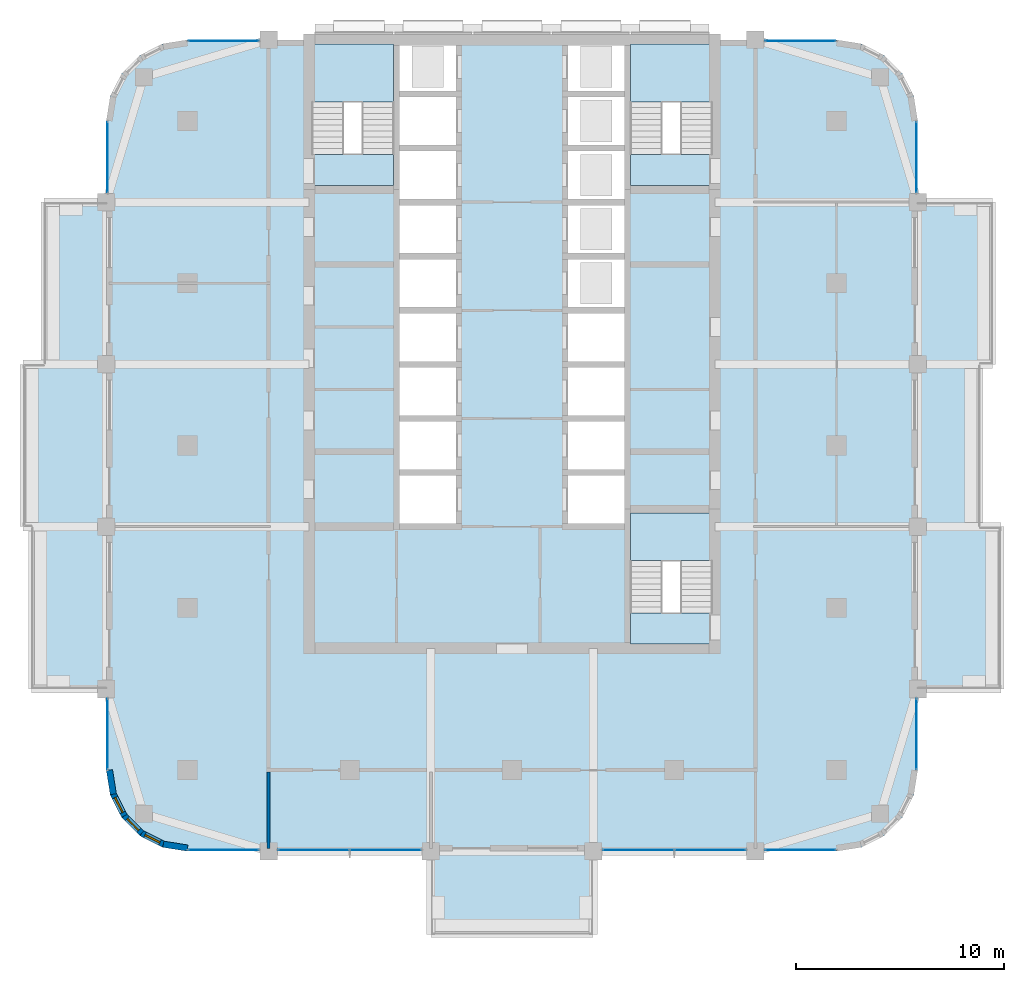
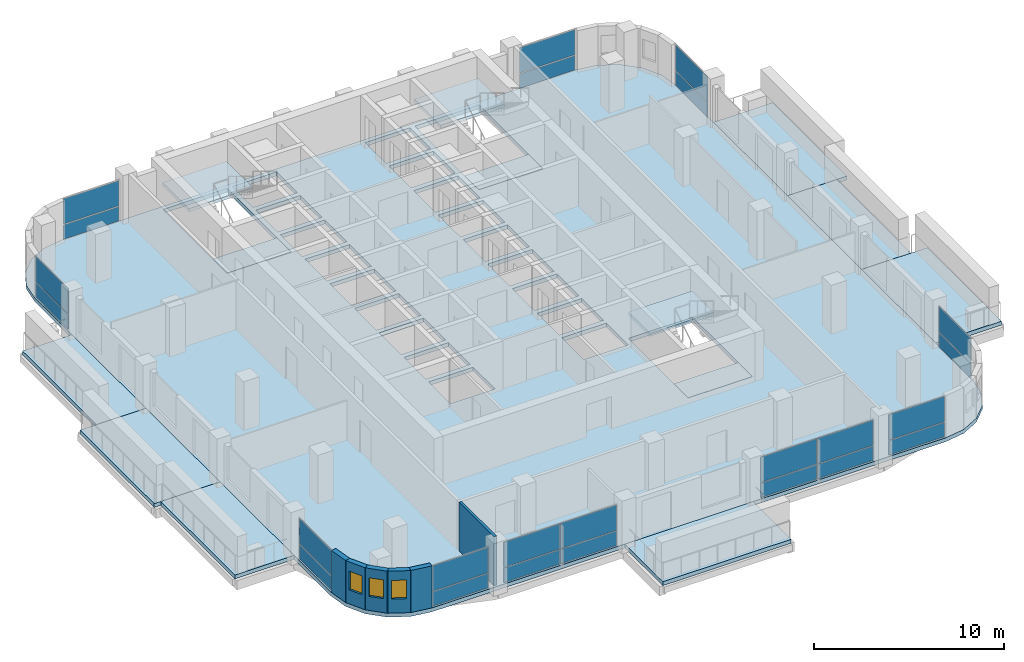
# One storey, part 9 of 19: 24 plates, 14 slabs, 6 walls, 3 windows, 3 openings, 13 elements without a shape of their own.
"""IFC4 building model written with IfcOpenShell, lengths in metres."""

import ifcopenshell
import ifcopenshell.guid

model = None  # the IFC model being written
_history = None  # IfcOwnerHistory: only IFC2X3 demands one
_inside = {}  # id of a spatial element -> (the spatial element, [elements in it])
_under = {}  # id of a project, library or spatial element -> (it, [spatial elements below it])
_declared = {}  # id of a project -> (the project, [libraries it declares])
_typed = {}  # id of a type object -> (the type object, [elements of that type])
_made_of = {}  # id of a material, layer set ... -> (it, [elements and type objects made of it])


def new_model(schema):
    """Start an empty IFC model of exactly this schema.

    Asked for "IFC4X3", IfcOpenShell would pick the latest addendum, in which some entities
    have other attributes; the version numbers below select the first issue.
    IFC2X3 requires an IfcOwnerHistory on every rooted entity: one is made here for all.
    """
    global model, _history
    if schema == "IFC4X3":
        model = ifcopenshell.file(schema_version=(4, 3, 0, 0))
    else:
        model = ifcopenshell.file(schema=schema)
    _inside.clear()
    _under.clear()
    _declared.clear()
    _typed.clear()
    _made_of.clear()
    _history = None
    if model.schema == "IFC2X3":
        org = make("IfcOrganization", Name="unknown")
        user = make(
            "IfcPersonAndOrganization",
            ThePerson=make("IfcPerson", FamilyName="unknown"),
            TheOrganization=org,
        )
        app = make(
            "IfcApplication",
            ApplicationDeveloper=org,
            Version="unknown",
            ApplicationFullName="unknown",
            ApplicationIdentifier="unknown",
        )
        _history = make(
            "IfcOwnerHistory",
            OwningUser=user,
            OwningApplication=app,
            ChangeAction="ADDED",
            CreationDate=0,
        )
    return model


def make(cls, **values):
    """One entity of the class cls with the attributes given. An attribute that is None is left unset."""
    return model.create_entity(
        cls, **{name: value for name, value in values.items() if value is not None}
    )


def rooted(cls, **values):
    """An entity with a GlobalId (a new one), such as an element, a storey or a relation."""
    return make(cls, GlobalId=ifcopenshell.guid.new(), OwnerHistory=_history, **values)


def si_unit(unit_type, name, prefix=None):
    """IfcSIUnit, for example si_unit("LENGTHUNIT", "METRE", prefix="MILLI")."""
    return make("IfcSIUnit", UnitType=unit_type, Prefix=prefix, Name=name)


def assignment(units):
    """IfcUnitAssignment: the units of a project."""
    return None if units is None else make("IfcUnitAssignment", Units=units)


def point(xyz):
    """IfcCartesianPoint."""
    return None if xyz is None else make("IfcCartesianPoint", Coordinates=xyz)


def direction(xyz):
    """IfcDirection."""
    return None if xyz is None else make("IfcDirection", DirectionRatios=xyz)


def frame(location, z_axis=None, x_axis=None):
    """IfcAxis2Placement3D, a coordinate frame: its origin and axes. An axis left out is left unset."""
    return make(
        "IfcAxis2Placement3D",
        Location=point(location),
        Axis=direction(z_axis),
        RefDirection=direction(x_axis),
    )


def frame_2d(location, x_axis=None):
    """IfcAxis2Placement2D, a coordinate frame in the plane: its origin and x axis."""
    return make(
        "IfcAxis2Placement2D", Location=point(location), RefDirection=direction(x_axis)
    )


def origin():
    """The frame at (0, 0, 0) with its axes left unset."""
    return frame((0.0, 0.0, 0.0))


def origin_2d():
    """The frame at (0, 0) in the plane with its x axis left unset."""
    return frame_2d((0.0, 0.0))


def place(relative_to, where):
    """IfcLocalPlacement: puts the frame where relative to a parent placement (None: the world)."""
    return make(
        "IfcLocalPlacement", PlacementRelTo=relative_to, RelativePlacement=where
    )


def context(
    kind, dimensions, precision=None, world=None, true_north=None, identifier=None
):
    """IfcGeometricRepresentationContext, for example the 3D "Model" context."""
    return make(
        "IfcGeometricRepresentationContext",
        ContextIdentifier=identifier,
        ContextType=kind,
        CoordinateSpaceDimension=dimensions,
        Precision=precision,
        WorldCoordinateSystem=world,
        TrueNorth=true_north,
    )


def subcontext(parent, identifier, kind, view, scale=None):
    """IfcGeometricRepresentationSubContext, for example "Body" below "Model"."""
    return make(
        "IfcGeometricRepresentationSubContext",
        ContextIdentifier=identifier,
        ContextType=kind,
        ParentContext=parent,
        TargetScale=scale,
        TargetView=view,
    )


def project(units=None, contexts=None):
    """IfcProject with its units and contexts."""
    return rooted(
        "IfcProject",
        Name="project",
        RepresentationContexts=contexts,
        UnitsInContext=assignment(units),
    )


def spatial(cls, under=None, at=None, **own):
    """A site, building, storey or space (cls), placed at a placement, below another one or the project."""
    s = rooted(cls, ObjectPlacement=at, **own)
    if under is not None:
        _under.setdefault(under.id(), (under, []))[1].append(s)
    return s


def polyline(points):
    """IfcPolyline through the points."""
    return make("IfcPolyline", Points=[point(p) for p in points])


def profile(cls, at=None, kind="AREA", **sizes):
    """A parametric profile (cls). Its sizes go by their IFC names, for example OverallWidth=200.0."""
    return make(cls, ProfileType=kind, Position=at, **sizes)


def rectangle(**sizes):
    """IfcRectangleProfileDef."""
    return profile("IfcRectangleProfileDef", **sizes)


def outline(outer, holes=None, kind="AREA"):
    """IfcArbitraryClosedProfileDef: a profile drawn as a closed curve; with holes, ...WithVoids."""
    if holes is None:
        return make("IfcArbitraryClosedProfileDef", ProfileType=kind, OuterCurve=outer)
    return make(
        "IfcArbitraryProfileDefWithVoids",
        ProfileType=kind,
        OuterCurve=outer,
        InnerCurves=holes,
    )


def extrude(swept, where, along, depth):
    """IfcExtrudedAreaSolid: the profile swept, set in the frame where, extruded along a direction by depth."""
    return make(
        "IfcExtrudedAreaSolid",
        SweptArea=swept,
        Position=where,
        ExtrudedDirection=direction(along),
        Depth=depth,
    )


def shape(context_of_items, identifier, shape_type, items):
    """IfcShapeRepresentation: the items that make up one representation, for example the "Body"."""
    return make(
        "IfcShapeRepresentation",
        ContextOfItems=context_of_items,
        RepresentationIdentifier=identifier,
        RepresentationType=shape_type,
        Items=items,
    )


def material(Name=None, Category=None):
    """IfcMaterial."""
    return make("IfcMaterial", Name=Name, Category=Category)


def layer(
    of_material, thickness, ventilated=None, Name=None, Category=None, Priority=None
):
    """IfcMaterialLayer: one layer of a wall or slab, of a material (None: an air gap)."""
    return make(
        "IfcMaterialLayer",
        Material=of_material,
        LayerThickness=thickness,
        IsVentilated=ventilated,
        Name=Name,
        Category=Category,
        Priority=Priority,
    )


def layer_set(layers, Name=None):
    """IfcMaterialLayerSet."""
    return make("IfcMaterialLayerSet", MaterialLayers=layers, LayerSetName=Name)


def made_of(thing, what):
    """Note that an element or type object is made of a material, layer set ...; save() writes the relation."""
    if what is not None:
        _made_of.setdefault(what.id(), (what, []))[1].append(thing)
    return thing


def type_object(cls, material=None, **own):
    """A type object (cls), such as IfcWallType, which elements share."""
    return made_of(rooted(cls, **own), material)


def element(
    cls,
    number,
    at=None,
    inside=None,
    cuts=None,
    type_object=None,
    material=None,
    context=None,
    identifier="Body",
    shape_type=None,
    held_by="IfcProductDefinitionShape",
    body=None,
    shapes=None,
    **own,
):
    """One element of the class cls, such as IfcWall. Its Tag is "e" and its number.

    at: its placement. inside: the storey or other place that contains it. cuts: it is an
    opening in that element (IfcRelVoidsElement). A single representation is given by context,
    identifier, shape_type and body (its items); several are given by shapes. held_by: the class
    of the entity that holds the representations. save() writes the other relations.
    """
    e = rooted(cls, Tag="e%d" % number, ObjectPlacement=at, **own)
    if body is not None:
        shapes = [shape(context, identifier, shape_type, body)]
    if shapes is not None:
        e.Representation = make(held_by, Representations=shapes)
    if inside is not None:
        _inside.setdefault(inside.id(), (inside, []))[1].append(e)
    if cuts is not None:
        rooted(
            "IfcRelVoidsElement", RelatingBuildingElement=cuts, RelatedOpeningElement=e
        )
    if type_object is not None:
        _typed.setdefault(type_object.id(), (type_object, []))[1].append(e)
    return made_of(e, material)


def fill(opening, filler):
    """IfcRelFillsElement: the door or window that sits in an opening."""
    return rooted(
        "IfcRelFillsElement",
        RelatingOpeningElement=opening,
        RelatedBuildingElement=filler,
    )


def aggregate(whole, parts):
    """IfcRelAggregates: a whole, such as a stair, and the parts it consists of."""
    return rooted("IfcRelAggregates", RelatingObject=whole, RelatedObjects=parts)


def save(model, path):
    """Write the relations noted so far, then the file.

    IfcRelAggregates (storeys below a building ...), IfcRelContainedInSpatialStructure (elements
    in a storey), IfcRelDefinesByType, IfcRelAssociatesMaterial and IfcRelDeclares: one each for
    every whole, place, type object, material and project.
    """
    for whole, parts in _under.values():
        aggregate(whole, parts)
    for where, things in _inside.values():
        rooted(
            "IfcRelContainedInSpatialStructure",
            RelatedElements=things,
            RelatingStructure=where,
        )
    for kind, things in _typed.values():
        rooted("IfcRelDefinesByType", RelatedObjects=things, RelatingType=kind)
    for what, things in _made_of.values():
        rooted("IfcRelAssociatesMaterial", RelatedObjects=things, RelatingMaterial=what)
    for by, libraries in _declared.values():
        rooted("IfcRelDeclares", RelatingContext=by, RelatedDefinitions=libraries)
    model.write(path)


model = new_model("IFC4")

# Units and contexts
model_context = context("Model", 3, precision=1e-05, world=origin(), true_north=direction((0.0, 1.0)))
body_context = subcontext(model_context, "Body", "Model", "MODEL_VIEW")
ifc_project = project(units=[si_unit("LENGTHUNIT", "METRE"), si_unit("AREAUNIT", "SQUARE_METRE"), si_unit("VOLUMEUNIT", "CUBIC_METRE"), si_unit("PLANEANGLEUNIT", "RADIAN"), si_unit("MASSUNIT", "GRAM", prefix="KILO")], contexts=[model_context])

# Site, building, storey
site_placement = place(None, origin())
site = spatial("IfcSite", under=ifc_project, at=site_placement, CompositionType="ELEMENT")
building_placement = place(site_placement, origin())
building = spatial("IfcBuilding", under=site, at=building_placement, Name="Ludao Terraces", CompositionType="ELEMENT")
storey_placement = place(building_placement, frame((0.0, 0.0, 133.89990234375)))
storey = spatial("IfcBuildingStorey", under=building, at=storey_placement, Name="L36", CompositionType="ELEMENT", Elevation=133.89990234375)

# Slabs
ifc_material_1 = material(Name="Concrete C40", Category="concrete")
ifc_layer_1 = layer(ifc_material_1, 0.25)
ifc_layer_set_1 = layer_set([ifc_layer_1], Name="Balcony slab 250 C40")
slab_type_1 = type_object("IfcSlabType", Name="Balcony slab 250 C40", PredefinedType="USERDEFINED", material=ifc_layer_set_1)
slab_1_placement = place(storey_placement, frame((0.0, 0.0, -0.25)))
element("IfcSlab", 1, at=slab_1_placement, inside=storey, type_object=slab_type_1, Name="Balcony L36 S1", ObjectType="BALCONY", PredefinedType="USERDEFINED", context=body_context, shape_type="SweptSolid", body=[
    extrude(outline(polyline([(81.10009765625, 41.5), (88.89990234375, 41.5), (88.89990234375, 45.5), (81.10009765625, 45.5), (81.10009765625, 41.5)])), origin(), (0.0, 0.0, 1.0), 0.25),
])
slab_2_placement = place(storey_placement, frame((0.0, 0.0, -0.25)))
element("IfcSlab", 2, at=slab_2_placement, inside=storey, type_object=slab_type_1, Name="Balcony L36 E1", ObjectType="BALCONY", PredefinedType="USERDEFINED", context=body_context, shape_type="SweptSolid", body=[
    extrude(outline(polyline([(104.5, 53.300048828125), (108.5, 53.300048828125), (108.5, 61.10009765625), (104.5, 61.10009765625), (104.5, 53.300048828125)])), origin(), (0.0, 0.0, 1.0), 0.25),
])
slab_3_placement = place(storey_placement, frame((0.0, 0.0, -0.25)))
element("IfcSlab", 3, at=slab_3_placement, inside=storey, type_object=slab_type_1, Name="Balcony L36 E2", ObjectType="BALCONY", PredefinedType="USERDEFINED", context=body_context, shape_type="SweptSolid", body=[
    extrude(outline(polyline([(104.5, 61.10009765625), (107.5, 61.10009765625), (107.5, 68.89990234375), (104.5, 68.89990234375), (104.5, 61.10009765625)])), origin(), (0.0, 0.0, 1.0), 0.25),
])
slab_4_placement = place(storey_placement, frame((0.0, 0.0, -0.25)))
element("IfcSlab", 4, at=slab_4_placement, inside=storey, type_object=slab_type_1, Name="Balcony L36 E3", ObjectType="BALCONY", PredefinedType="USERDEFINED", context=body_context, shape_type="SweptSolid", body=[
    extrude(outline(polyline([(104.5, 68.89990234375), (108.10009765625, 68.89990234375), (108.10009765625, 76.699951171875), (104.5, 76.699951171875), (104.5, 68.89990234375)])), origin(), (0.0, 0.0, 1.0), 0.25),
])
slab_5_placement = place(storey_placement, frame((0.0, 0.0, -0.25)))
element("IfcSlab", 5, at=slab_5_placement, inside=storey, type_object=slab_type_1, Name="Balcony L36 W1", ObjectType="BALCONY", PredefinedType="USERDEFINED", context=body_context, shape_type="SweptSolid", body=[
    extrude(outline(polyline([(61.89990234375, 53.300048828125), (65.5, 53.300048828125), (65.5, 61.10009765625), (61.89990234375, 61.10009765625), (61.89990234375, 53.300048828125)])), origin(), (0.0, 0.0, 1.0), 0.25),
])
slab_6_placement = place(storey_placement, frame((0.0, 0.0, -0.25)))
element("IfcSlab", 6, at=slab_6_placement, inside=storey, type_object=slab_type_1, Name="Balcony L36 W2", ObjectType="BALCONY", PredefinedType="USERDEFINED", context=body_context, shape_type="SweptSolid", body=[
    extrude(outline(polyline([(61.5, 61.10009765625), (65.5, 61.10009765625), (65.5, 68.89990234375), (61.5, 68.89990234375), (61.5, 61.10009765625)])), origin(), (0.0, 0.0, 1.0), 0.25),
])
slab_7_placement = place(storey_placement, frame((0.0, 0.0, -0.25)))
element("IfcSlab", 7, at=slab_7_placement, inside=storey, type_object=slab_type_1, Name="Balcony L36 W3", ObjectType="BALCONY", PredefinedType="USERDEFINED", context=body_context, shape_type="SweptSolid", body=[
    extrude(outline(polyline([(62.5, 68.89990234375), (65.5, 68.89990234375), (65.5, 76.699951171875), (62.5, 76.699951171875), (62.5, 68.89990234375)])), origin(), (0.0, 0.0, 1.0), 0.25),
])

# Curtain wall, plates
ifc_material_2 = material(Name="Aluminium curtain wall with fritted glass", Category="aluminium")
curtain_wall_type = type_object("IfcCurtainWallType", Name="ENV CW3 community glazing", PredefinedType="NOTDEFINED", material=ifc_material_2)
curtain_wall_1_placement = place(storey_placement, origin())
curtain_wall_1 = element("IfcCurtainWall", 8, at=curtain_wall_1_placement, inside=storey, type_object=curtain_wall_type, Name="Community floor glazing L36 S1", PredefinedType="NOTDEFINED")
ifc_material_3 = material(Name="Fritted glass panel", Category="glass")
ifc_layer_2 = layer(ifc_material_3, 0.02392578125)
ifc_layer_set_2 = layer_set([ifc_layer_2], Name="ENV CW3 glass panel")
plate_type = type_object("IfcPlateType", Name="ENV CW3 glass panel", PredefinedType="CURTAIN_PANEL", material=ifc_layer_set_2)
plate_1_placement = place(storey_placement, frame((71.137451171875, 45.56005859375, 0.05029296875), z_axis=(0.0, 0.0, 1.0), x_axis=(1.0, 0.0, 0.0)))
plate_1 = element("IfcPlate", 9, at=plate_1_placement, type_object=plate_type, Name="CW3 panel 1.1", PredefinedType="CURTAIN_PANEL", context=body_context, shape_type="SweptSolid", body=[
    extrude(rectangle(XDim=3.375, YDim=0.02392578125, at=origin_2d()), origin(), (0.0, 0.0, 1.0), 0.925048828125),
])
plate_2_placement = place(storey_placement, frame((71.137451171875, 45.56005859375, 1.025146484375), z_axis=(0.0, 0.0, 1.0), x_axis=(1.0, 0.0, 0.0)))
plate_2 = element("IfcPlate", 10, at=plate_2_placement, type_object=plate_type, Name="CW3 panel 1.2", PredefinedType="CURTAIN_PANEL", context=body_context, shape_type="SweptSolid", body=[
    extrude(rectangle(XDim=3.375, YDim=0.02392578125, at=origin_2d()), origin(), (0.0, 0.0, 1.0), 1.625),
])
aggregate(curtain_wall_1, [plate_1, plate_2])

curtain_wall_2_placement = place(storey_placement, origin())
curtain_wall_2 = element("IfcCurtainWall", 11, at=curtain_wall_2_placement, inside=storey, type_object=curtain_wall_type, Name="Community floor glazing L36 S2", PredefinedType="NOTDEFINED")
plate_3_placement = place(storey_placement, frame((75.47509765625, 45.56005859375, 0.05029296875), z_axis=(0.0, 0.0, 1.0), x_axis=(1.0, 0.0, 0.0)))
plate_3 = element("IfcPlate", 12, at=plate_3_placement, type_object=plate_type, Name="CW3 panel 1.1", PredefinedType="CURTAIN_PANEL", context=body_context, shape_type="SweptSolid", body=[
    extrude(rectangle(XDim=3.39990234375, YDim=0.02392578125, at=origin_2d()), origin(), (0.0, 0.0, 1.0), 0.925048828125),
])
plate_4_placement = place(storey_placement, frame((75.47509765625, 45.56005859375, 1.025146484375), z_axis=(0.0, 0.0, 1.0), x_axis=(1.0, 0.0, 0.0)))
plate_4 = element("IfcPlate", 13, at=plate_4_placement, type_object=plate_type, Name="CW3 panel 1.2", PredefinedType="CURTAIN_PANEL", context=body_context, shape_type="SweptSolid", body=[
    extrude(rectangle(XDim=3.39990234375, YDim=0.02392578125, at=origin_2d()), origin(), (0.0, 0.0, 1.0), 1.625),
])
plate_5_placement = place(storey_placement, frame((78.925048828125, 45.56005859375, 0.05029296875), z_axis=(0.0, 0.0, 1.0), x_axis=(1.0, 0.0, 0.0)))
plate_5 = element("IfcPlate", 14, at=plate_5_placement, type_object=plate_type, Name="CW3 panel 2.1", PredefinedType="CURTAIN_PANEL", context=body_context, shape_type="SweptSolid", body=[
    extrude(rectangle(XDim=3.39990234375, YDim=0.02392578125, at=origin_2d()), origin(), (0.0, 0.0, 1.0), 0.925048828125),
])
plate_6_placement = place(storey_placement, frame((78.925048828125, 45.56005859375, 1.025146484375), z_axis=(0.0, 0.0, 1.0), x_axis=(1.0, 0.0, 0.0)))
plate_6 = element("IfcPlate", 15, at=plate_6_placement, type_object=plate_type, Name="CW3 panel 2.2", PredefinedType="CURTAIN_PANEL", context=body_context, shape_type="SweptSolid", body=[
    extrude(rectangle(XDim=3.39990234375, YDim=0.02392578125, at=origin_2d()), origin(), (0.0, 0.0, 1.0), 1.625),
])
aggregate(curtain_wall_2, [plate_3, plate_4, plate_5, plate_6])

curtain_wall_3_placement = place(storey_placement, origin())
curtain_wall_3 = element("IfcCurtainWall", 16, at=curtain_wall_3_placement, inside=storey, type_object=curtain_wall_type, Name="Community floor glazing L36 S4", PredefinedType="NOTDEFINED")
plate_7_placement = place(storey_placement, frame((91.074951171875, 45.56005859375, 0.05029296875), z_axis=(0.0, 0.0, 1.0), x_axis=(1.0, 0.0, 0.0)))
plate_7 = element("IfcPlate", 17, at=plate_7_placement, type_object=plate_type, Name="CW3 panel 1.1", PredefinedType="CURTAIN_PANEL", context=body_context, shape_type="SweptSolid", body=[
    extrude(rectangle(XDim=3.39990234375, YDim=0.02392578125, at=origin_2d()), origin(), (0.0, 0.0, 1.0), 0.925048828125),
])
plate_8_placement = place(storey_placement, frame((91.074951171875, 45.56005859375, 1.025146484375), z_axis=(0.0, 0.0, 1.0), x_axis=(1.0, 0.0, 0.0)))
plate_8 = element("IfcPlate", 18, at=plate_8_placement, type_object=plate_type, Name="CW3 panel 1.2", PredefinedType="CURTAIN_PANEL", context=body_context, shape_type="SweptSolid", body=[
    extrude(rectangle(XDim=3.39990234375, YDim=0.02392578125, at=origin_2d()), origin(), (0.0, 0.0, 1.0), 1.625),
])
plate_9_placement = place(storey_placement, frame((94.52490234375, 45.56005859375, 0.05029296875), z_axis=(0.0, 0.0, 1.0), x_axis=(1.0, 0.0, 0.0)))
plate_9 = element("IfcPlate", 19, at=plate_9_placement, type_object=plate_type, Name="CW3 panel 2.1", PredefinedType="CURTAIN_PANEL", context=body_context, shape_type="SweptSolid", body=[
    extrude(rectangle(XDim=3.39990234375, YDim=0.02392578125, at=origin_2d()), origin(), (0.0, 0.0, 1.0), 0.925048828125),
])
plate_10_placement = place(storey_placement, frame((94.52490234375, 45.56005859375, 1.025146484375), z_axis=(0.0, 0.0, 1.0), x_axis=(1.0, 0.0, 0.0)))
plate_10 = element("IfcPlate", 20, at=plate_10_placement, type_object=plate_type, Name="CW3 panel 2.2", PredefinedType="CURTAIN_PANEL", context=body_context, shape_type="SweptSolid", body=[
    extrude(rectangle(XDim=3.39990234375, YDim=0.02392578125, at=origin_2d()), origin(), (0.0, 0.0, 1.0), 1.625),
])
aggregate(curtain_wall_3, [plate_7, plate_8, plate_9, plate_10])

curtain_wall_4_placement = place(storey_placement, origin())
curtain_wall_4 = element("IfcCurtainWall", 21, at=curtain_wall_4_placement, inside=storey, type_object=curtain_wall_type, Name="Community floor glazing L36 S5", PredefinedType="NOTDEFINED")
plate_11_placement = place(storey_placement, frame((98.862548828125, 45.56005859375, 0.05029296875), z_axis=(0.0, 0.0, 1.0), x_axis=(1.0, 0.0, 0.0)))
plate_11 = element("IfcPlate", 22, at=plate_11_placement, type_object=plate_type, Name="CW3 panel 1.1", PredefinedType="CURTAIN_PANEL", context=body_context, shape_type="SweptSolid", body=[
    extrude(rectangle(XDim=3.375, YDim=0.02392578125, at=origin_2d()), origin(), (0.0, 0.0, 1.0), 0.925048828125),
])
plate_12_placement = place(storey_placement, frame((98.862548828125, 45.56005859375, 1.025146484375), z_axis=(0.0, 0.0, 1.0), x_axis=(1.0, 0.0, 0.0)))
plate_12 = element("IfcPlate", 23, at=plate_12_placement, type_object=plate_type, Name="CW3 panel 1.2", PredefinedType="CURTAIN_PANEL", context=body_context, shape_type="SweptSolid", body=[
    extrude(rectangle(XDim=3.375, YDim=0.02392578125, at=origin_2d()), origin(), (0.0, 0.0, 1.0), 1.625),
])
aggregate(curtain_wall_4, [plate_11, plate_12])

curtain_wall_5_placement = place(storey_placement, origin())
curtain_wall_5 = element("IfcCurtainWall", 24, at=curtain_wall_5_placement, inside=storey, type_object=curtain_wall_type, Name="Community floor glazing L36 E1", PredefinedType="NOTDEFINED")
plate_13_placement = place(storey_placement, frame((104.43994140625, 51.137451171875, 0.05029296875), z_axis=(0.0, 0.0, 1.0), x_axis=(0.0, 1.0, 0.0)))
plate_13 = element("IfcPlate", 25, at=plate_13_placement, type_object=plate_type, Name="CW3 panel 1.1", PredefinedType="CURTAIN_PANEL", context=body_context, shape_type="SweptSolid", body=[
    extrude(rectangle(XDim=3.375, YDim=0.02392578125, at=origin_2d()), origin(), (0.0, 0.0, 1.0), 0.925048828125),
])
plate_14_placement = place(storey_placement, frame((104.43994140625, 51.137451171875, 1.025146484375), z_axis=(0.0, 0.0, 1.0), x_axis=(0.0, 1.0, 0.0)))
plate_14 = element("IfcPlate", 26, at=plate_14_placement, type_object=plate_type, Name="CW3 panel 1.2", PredefinedType="CURTAIN_PANEL", context=body_context, shape_type="SweptSolid", body=[
    extrude(rectangle(XDim=3.375, YDim=0.02392578125, at=origin_2d()), origin(), (0.0, 0.0, 1.0), 1.625),
])
aggregate(curtain_wall_5, [plate_13, plate_14])

curtain_wall_6_placement = place(storey_placement, origin())
curtain_wall_6 = element("IfcCurtainWall", 27, at=curtain_wall_6_placement, inside=storey, type_object=curtain_wall_type, Name="Community floor glazing L36 E5", PredefinedType="NOTDEFINED")
plate_15_placement = place(storey_placement, frame((104.43994140625, 78.862548828125, 0.05029296875), z_axis=(0.0, 0.0, 1.0), x_axis=(0.0, 1.0, 0.0)))
plate_15 = element("IfcPlate", 28, at=plate_15_placement, type_object=plate_type, Name="CW3 panel 1.1", PredefinedType="CURTAIN_PANEL", context=body_context, shape_type="SweptSolid", body=[
    extrude(rectangle(XDim=3.375, YDim=0.02392578125, at=origin_2d()), origin(), (0.0, 0.0, 1.0), 0.925048828125),
])
plate_16_placement = place(storey_placement, frame((104.43994140625, 78.862548828125, 1.025146484375), z_axis=(0.0, 0.0, 1.0), x_axis=(0.0, 1.0, 0.0)))
plate_16 = element("IfcPlate", 29, at=plate_16_placement, type_object=plate_type, Name="CW3 panel 1.2", PredefinedType="CURTAIN_PANEL", context=body_context, shape_type="SweptSolid", body=[
    extrude(rectangle(XDim=3.375, YDim=0.02392578125, at=origin_2d()), origin(), (0.0, 0.0, 1.0), 1.625),
])
aggregate(curtain_wall_6, [plate_15, plate_16])

curtain_wall_7_placement = place(storey_placement, origin())
curtain_wall_7 = element("IfcCurtainWall", 30, at=curtain_wall_7_placement, inside=storey, type_object=curtain_wall_type, Name="Community floor glazing L36 N1", PredefinedType="NOTDEFINED")
plate_17_placement = place(storey_placement, frame((71.137451171875, 84.43994140625, 0.05029296875), z_axis=(0.0, 0.0, 1.0), x_axis=(1.0, 0.0, 0.0)))
plate_17 = element("IfcPlate", 31, at=plate_17_placement, type_object=plate_type, Name="CW3 panel 1.1", PredefinedType="CURTAIN_PANEL", context=body_context, shape_type="SweptSolid", body=[
    extrude(rectangle(XDim=3.375, YDim=0.02392578125, at=origin_2d()), origin(), (0.0, 0.0, 1.0), 0.925048828125),
])
plate_18_placement = place(storey_placement, frame((71.137451171875, 84.43994140625, 1.025146484375), z_axis=(0.0, 0.0, 1.0), x_axis=(1.0, 0.0, 0.0)))
plate_18 = element("IfcPlate", 32, at=plate_18_placement, type_object=plate_type, Name="CW3 panel 1.2", PredefinedType="CURTAIN_PANEL", context=body_context, shape_type="SweptSolid", body=[
    extrude(rectangle(XDim=3.375, YDim=0.02392578125, at=origin_2d()), origin(), (0.0, 0.0, 1.0), 1.625),
])
aggregate(curtain_wall_7, [plate_17, plate_18])

curtain_wall_8_placement = place(storey_placement, origin())
curtain_wall_8 = element("IfcCurtainWall", 33, at=curtain_wall_8_placement, inside=storey, type_object=curtain_wall_type, Name="Community floor glazing L36 N4", PredefinedType="NOTDEFINED")
plate_19_placement = place(storey_placement, frame((98.862548828125, 84.43994140625, 0.05029296875), z_axis=(0.0, 0.0, 1.0), x_axis=(1.0, 0.0, 0.0)))
plate_19 = element("IfcPlate", 34, at=plate_19_placement, type_object=plate_type, Name="CW3 panel 1.1", PredefinedType="CURTAIN_PANEL", context=body_context, shape_type="SweptSolid", body=[
    extrude(rectangle(XDim=3.375, YDim=0.02392578125, at=origin_2d()), origin(), (0.0, 0.0, 1.0), 0.925048828125),
])
plate_20_placement = place(storey_placement, frame((98.862548828125, 84.43994140625, 1.025146484375), z_axis=(0.0, 0.0, 1.0), x_axis=(1.0, 0.0, 0.0)))
plate_20 = element("IfcPlate", 35, at=plate_20_placement, type_object=plate_type, Name="CW3 panel 1.2", PredefinedType="CURTAIN_PANEL", context=body_context, shape_type="SweptSolid", body=[
    extrude(rectangle(XDim=3.375, YDim=0.02392578125, at=origin_2d()), origin(), (0.0, 0.0, 1.0), 1.625),
])
aggregate(curtain_wall_8, [plate_19, plate_20])

curtain_wall_9_placement = place(storey_placement, origin())
curtain_wall_9 = element("IfcCurtainWall", 36, at=curtain_wall_9_placement, inside=storey, type_object=curtain_wall_type, Name="Community floor glazing L36 W1", PredefinedType="NOTDEFINED")
plate_21_placement = place(storey_placement, frame((65.56005859375, 51.137451171875, 0.05029296875), z_axis=(0.0, 0.0, 1.0), x_axis=(0.0, 1.0, 0.0)))
plate_21 = element("IfcPlate", 37, at=plate_21_placement, type_object=plate_type, Name="CW3 panel 1.1", PredefinedType="CURTAIN_PANEL", context=body_context, shape_type="SweptSolid", body=[
    extrude(rectangle(XDim=3.375, YDim=0.02392578125, at=origin_2d()), origin(), (0.0, 0.0, 1.0), 0.925048828125),
])
plate_22_placement = place(storey_placement, frame((65.56005859375, 51.137451171875, 1.025146484375), z_axis=(0.0, 0.0, 1.0), x_axis=(0.0, 1.0, 0.0)))
plate_22 = element("IfcPlate", 38, at=plate_22_placement, type_object=plate_type, Name="CW3 panel 1.2", PredefinedType="CURTAIN_PANEL", context=body_context, shape_type="SweptSolid", body=[
    extrude(rectangle(XDim=3.375, YDim=0.02392578125, at=origin_2d()), origin(), (0.0, 0.0, 1.0), 1.625),
])
aggregate(curtain_wall_9, [plate_21, plate_22])

curtain_wall_10_placement = place(storey_placement, origin())
curtain_wall_10 = element("IfcCurtainWall", 39, at=curtain_wall_10_placement, inside=storey, type_object=curtain_wall_type, Name="Community floor glazing L36 W5", PredefinedType="NOTDEFINED")
plate_23_placement = place(storey_placement, frame((65.56005859375, 78.862548828125, 0.05029296875), z_axis=(0.0, 0.0, 1.0), x_axis=(0.0, 1.0, 0.0)))
plate_23 = element("IfcPlate", 40, at=plate_23_placement, type_object=plate_type, Name="CW3 panel 1.1", PredefinedType="CURTAIN_PANEL", context=body_context, shape_type="SweptSolid", body=[
    extrude(rectangle(XDim=3.375, YDim=0.02392578125, at=origin_2d()), origin(), (0.0, 0.0, 1.0), 0.925048828125),
])
plate_24_placement = place(storey_placement, frame((65.56005859375, 78.862548828125, 1.025146484375), z_axis=(0.0, 0.0, 1.0), x_axis=(0.0, 1.0, 0.0)))
plate_24 = element("IfcPlate", 41, at=plate_24_placement, type_object=plate_type, Name="CW3 panel 1.2", PredefinedType="CURTAIN_PANEL", context=body_context, shape_type="SweptSolid", body=[
    extrude(rectangle(XDim=3.375, YDim=0.02392578125, at=origin_2d()), origin(), (0.0, 0.0, 1.0), 1.625),
])
aggregate(curtain_wall_10, [plate_23, plate_24])

# Slab
ifc_layer_3 = layer(ifc_material_1, 0.25)
ifc_layer_set_3 = layer_set([ifc_layer_3], Name="Floor slab 250 C40")
slab_type_2 = type_object("IfcSlabType", Name="Floor slab 250 C40", PredefinedType="FLOOR", material=ifc_layer_set_3)
slab_8_placement = place(storey_placement, frame((0.0, 0.0, -0.25)))
element("IfcSlab", 42, at=slab_8_placement, inside=storey, type_object=slab_type_2, Name="Slab L36", PredefinedType="FLOOR", context=body_context, shape_type="SweptSolid", body=[
    extrude(outline(polyline([(100.60009765625, 45.5), (101.80517578125, 45.69091796875), (102.892333984375, 46.244873046875), (103.755126953125, 47.107666015625), (104.30908203125, 48.19482421875), (104.5, 49.39990234375), (104.5, 80.60009765625), (104.30908203125, 81.80517578125), (103.755126953125, 82.892333984375), (102.892333984375, 83.755126953125), (101.80517578125, 84.30908203125), (100.60009765625, 84.5), (69.39990234375, 84.5), (68.19482421875, 84.30908203125), (67.107666015625, 83.755126953125), (66.244873046875, 82.892333984375), (65.69091796875, 81.80517578125), (65.5, 80.60009765625), (65.5, 49.39990234375), (65.69091796875, 48.19482421875), (66.244873046875, 47.107666015625), (67.107666015625, 46.244873046875), (68.19482421875, 45.69091796875), (69.39990234375, 45.5), (100.60009765625, 45.5)]), holes=[polyline([(79.60009765625, 61.25), (82.300048828125, 61.25), (82.300048828125, 63.550048828125), (79.60009765625, 63.550048828125), (79.60009765625, 61.25)]), polyline([(79.60009765625, 63.85009765625), (82.300048828125, 63.85009765625), (82.300048828125, 66.14990234375), (79.60009765625, 66.14990234375), (79.60009765625, 63.85009765625)]), polyline([(79.60009765625, 66.449951171875), (82.300048828125, 66.449951171875), (82.300048828125, 68.75), (79.60009765625, 68.75), (79.60009765625, 66.449951171875)]), polyline([(79.60009765625, 69.050048828125), (82.300048828125, 69.050048828125), (82.300048828125, 71.35009765625), (79.60009765625, 71.35009765625), (79.60009765625, 69.050048828125)]), polyline([(79.60009765625, 71.64990234375), (82.300048828125, 71.64990234375), (82.300048828125, 73.949951171875), (79.60009765625, 73.949951171875), (79.60009765625, 71.64990234375)]), polyline([(79.60009765625, 74.25), (82.300048828125, 74.25), (82.300048828125, 76.550048828125), (79.60009765625, 76.550048828125), (79.60009765625, 74.25)]), polyline([(79.60009765625, 76.85009765625), (82.300048828125, 76.85009765625), (82.300048828125, 79.14990234375), (79.60009765625, 79.14990234375), (79.60009765625, 76.85009765625)]), polyline([(79.60009765625, 79.449951171875), (82.300048828125, 79.449951171875), (82.300048828125, 81.75), (79.60009765625, 81.75), (79.60009765625, 79.449951171875)]), polyline([(79.60009765625, 82.050048828125), (82.300048828125, 82.050048828125), (82.300048828125, 84.239990234375), (79.60009765625, 84.239990234375), (79.60009765625, 82.050048828125)]), polyline([(87.699951171875, 61.25), (90.39990234375, 61.25), (90.39990234375, 63.550048828125), (87.699951171875, 63.550048828125), (87.699951171875, 61.25)]), polyline([(87.699951171875, 63.85009765625), (90.39990234375, 63.85009765625), (90.39990234375, 66.14990234375), (87.699951171875, 66.14990234375), (87.699951171875, 63.85009765625)]), polyline([(87.699951171875, 66.449951171875), (90.39990234375, 66.449951171875), (90.39990234375, 68.75), (87.699951171875, 68.75), (87.699951171875, 66.449951171875)]), polyline([(87.699951171875, 69.050048828125), (90.39990234375, 69.050048828125), (90.39990234375, 71.35009765625), (87.699951171875, 71.35009765625), (87.699951171875, 69.050048828125)]), polyline([(87.699951171875, 71.64990234375), (90.39990234375, 71.64990234375), (90.39990234375, 73.949951171875), (87.699951171875, 73.949951171875), (87.699951171875, 71.64990234375)]), polyline([(87.699951171875, 74.25), (90.39990234375, 74.25), (90.39990234375, 76.550048828125), (87.699951171875, 76.550048828125), (87.699951171875, 74.25)]), polyline([(87.699951171875, 76.85009765625), (90.39990234375, 76.85009765625), (90.39990234375, 79.14990234375), (87.699951171875, 79.14990234375), (87.699951171875, 76.85009765625)]), polyline([(87.699951171875, 79.449951171875), (90.39990234375, 79.449951171875), (90.39990234375, 81.75), (87.699951171875, 81.75), (87.699951171875, 79.449951171875)]), polyline([(87.699951171875, 82.050048828125), (90.39990234375, 82.050048828125), (90.39990234375, 84.239990234375), (87.699951171875, 84.239990234375), (87.699951171875, 82.050048828125)]), polyline([(75.39990234375, 77.5), (79.300048828125, 77.5), (79.300048828125, 84.239990234375), (75.39990234375, 84.239990234375), (75.39990234375, 77.5)]), polyline([(90.699951171875, 77.5), (94.60009765625, 77.5), (94.60009765625, 84.239990234375), (90.699951171875, 84.239990234375), (90.699951171875, 77.5)]), polyline([(90.699951171875, 55.449951171875), (94.60009765625, 55.449951171875), (94.60009765625, 61.75), (90.699951171875, 61.75), (90.699951171875, 55.449951171875)])]), origin(), (0.0, 0.0, 1.0), 0.25),
])

# Stair, slabs
stair_type = type_object("IfcStairType", Name="INT Stair", PredefinedType="HALF_TURN_STAIR", material=ifc_material_1)
stair_1_placement = place(storey_placement, origin())
stair_1 = element("IfcStair", 43, at=stair_1_placement, inside=storey, type_object=stair_type, Name="EXIT STAIR 1", PredefinedType="HALF_TURN_STAIR")
ifc_layer_4 = layer(ifc_material_1, 0.199951171875)
ifc_layer_set_4 = layer_set([ifc_layer_4], Name="INT Stair landing 200")
slab_type_3 = type_object("IfcSlabType", Name="INT Stair landing 200", PredefinedType="LANDING", material=ifc_layer_set_4)
slab_9_placement = place(storey_placement, frame((0.0, 0.0, 1.5)))
slab_9 = element("IfcSlab", 44, at=slab_9_placement, type_object=slab_type_3, Name="ST1 landing 1", PredefinedType="LANDING", context=body_context, shape_type="SweptSolid", body=[
    extrude(outline(polyline([(75.39990234375, 81.52001953125), (79.300048828125, 81.52001953125), (79.300048828125, 84.300048828125), (75.39990234375, 84.300048828125), (75.39990234375, 81.52001953125)])), origin(), (0.0, 0.0, 1.0), 0.2001953125),
])
slab_10_placement = place(storey_placement, frame((0.0, 0.0, -0.199951171875)))
slab_10 = element("IfcSlab", 45, at=slab_10_placement, type_object=slab_type_3, Name="ST1 landing 2", PredefinedType="LANDING", context=body_context, shape_type="SweptSolid", body=[
    extrude(outline(polyline([(75.39990234375, 77.5), (79.300048828125, 77.5), (79.300048828125, 79.0), (75.39990234375, 79.0), (75.39990234375, 77.5)])), origin(), (0.0, 0.0, 1.0), 0.199951171875),
])
aggregate(stair_1, [slab_9, slab_10])

stair_2_placement = place(storey_placement, origin())
stair_2 = element("IfcStair", 46, at=stair_2_placement, inside=storey, type_object=stair_type, Name="EXIT STAIR 2", PredefinedType="HALF_TURN_STAIR")
slab_11_placement = place(storey_placement, frame((0.0, 0.0, 1.5)))
slab_11 = element("IfcSlab", 47, at=slab_11_placement, type_object=slab_type_3, Name="ST2 landing 1", PredefinedType="LANDING", context=body_context, shape_type="SweptSolid", body=[
    extrude(outline(polyline([(90.699951171875, 81.52001953125), (94.60009765625, 81.52001953125), (94.60009765625, 84.300048828125), (90.699951171875, 84.300048828125), (90.699951171875, 81.52001953125)])), origin(), (0.0, 0.0, 1.0), 0.2001953125),
])
slab_12_placement = place(storey_placement, frame((0.0, 0.0, -0.199951171875)))
slab_12 = element("IfcSlab", 48, at=slab_12_placement, type_object=slab_type_3, Name="ST2 landing 2", PredefinedType="LANDING", context=body_context, shape_type="SweptSolid", body=[
    extrude(outline(polyline([(90.699951171875, 77.5), (94.60009765625, 77.5), (94.60009765625, 79.0), (90.699951171875, 79.0), (90.699951171875, 77.5)])), origin(), (0.0, 0.0, 1.0), 0.199951171875),
])
aggregate(stair_2, [slab_11, slab_12])

stair_3_placement = place(storey_placement, origin())
stair_3 = element("IfcStair", 49, at=stair_3_placement, inside=storey, type_object=stair_type, Name="EXIT STAIR 3", PredefinedType="HALF_TURN_STAIR")
slab_13_placement = place(storey_placement, frame((0.0, 0.0, 1.5)))
slab_13 = element("IfcSlab", 50, at=slab_13_placement, type_object=slab_type_3, Name="ST3 landing 1", PredefinedType="LANDING", context=body_context, shape_type="SweptSolid", body=[
    extrude(outline(polyline([(90.699951171875, 59.469970703125), (94.60009765625, 59.469970703125), (94.60009765625, 61.75), (90.699951171875, 61.75), (90.699951171875, 59.469970703125)])), origin(), (0.0, 0.0, 1.0), 0.2001953125),
])
slab_14_placement = place(storey_placement, frame((0.0, 0.0, -0.199951171875)))
slab_14 = element("IfcSlab", 51, at=slab_14_placement, type_object=slab_type_3, Name="ST3 landing 2", PredefinedType="LANDING", context=body_context, shape_type="SweptSolid", body=[
    extrude(outline(polyline([(90.699951171875, 55.449951171875), (94.60009765625, 55.449951171875), (94.60009765625, 56.949951171875), (90.699951171875, 56.949951171875), (90.699951171875, 55.449951171875)])), origin(), (0.0, 0.0, 1.0), 0.199951171875),
])
aggregate(stair_3, [slab_13, slab_14])

# Wall
ifc_material_4 = material(Name="Granite cladding", Category="masonry")
ifc_layer_5 = layer(ifc_material_4, 0.0400390625, Category="stone")
ifc_material_5 = material(Name="Mineral wool")
ifc_layer_6 = layer(ifc_material_5, 0.06005859375)
ifc_layer_7 = layer(ifc_material_1, 0.199951171875, Category="concrete")
ifc_layer_set_5 = layer_set([ifc_layer_5, ifc_layer_6, ifc_layer_7], Name="ENV Stone-clad wall 300")
wall_type_1 = type_object("IfcWallType", Name="ENV Stone-clad wall 300", PredefinedType="SOLIDWALL", material=ifc_layer_set_5)
wall_1_placement = place(storey_placement, frame((65.64990234375, 49.39990234375, 0.0), z_axis=(0.0, 0.0, 1.0), x_axis=(0.156496880861, -0.987678452879, 0.0)))
element("IfcWall", 52, at=wall_1_placement, inside=storey, type_object=wall_type_1, Name="EW-L36-SW1", PredefinedType="SOLIDWALL", context=body_context, shape_type="SweptSolid", body=[
    extrude(rectangle(XDim=1.173095703125, YDim=0.300048828125, at=frame_2d((0.58642578125, 0.0))), origin(), (0.0, 0.0, 1.0), 2.7001953125),
])

# Wall, opening, window
wall_2_placement = place(storey_placement, frame((65.83349609375, 48.2412109375, 0.0), z_axis=(0.0, 0.0, 1.0), x_axis=(0.454025524128, -0.890988677504, 0.0)))
wall_2 = element("IfcWall", 53, at=wall_2_placement, inside=storey, type_object=wall_type_1, Name="EW-L36-SW2", PredefinedType="SOLIDWALL", context=body_context, shape_type="SweptSolid", body=[
    extrude(rectangle(XDim=1.17333984375, YDim=0.300048828125, at=frame_2d((0.586669921875, 0.0))), origin(), (0.0, 0.0, 1.0), 2.7001953125),
])
opening_1_placement = place(wall_2_placement, frame((0.1865234375, 0.0, 0.89990234375)))
opening_1 = element("IfcOpeningElement", 54, at=opening_1_placement, cuts=wall_2, Name="Opening W3", PredefinedType="OPENING", context=body_context, shape_type="SweptSolid", body=[
    extrude(rectangle(XDim=0.800048828125, YDim=1.199951171875, at=frame_2d((0.39990234375, 0.60009765625))), frame((0.0, 0.16015625, 0.0), z_axis=(0.0, -1.0, 0.0), x_axis=(1.0, 0.0, 0.0)), (0.0, 0.0, 1.0), 0.320068359375),
])
ifc_material_6 = material(Name="Clear glass in aluminium frame", Category="aluminium")
ifc_layer_8 = layer(ifc_material_6, 0.06005859375)
ifc_layer_set_6 = layer_set([ifc_layer_8], Name="ENV Window W3 800x1200")
window_type = type_object("IfcWindowType", Name="ENV Window W3 800x1200", PartitioningType="SINGLE_PANEL", PredefinedType="WINDOW", material=ifc_layer_set_6)
window_1_placement = place(opening_1_placement, origin())
window_1 = element("IfcWindow", 55, at=window_1_placement, inside=storey, type_object=window_type, Name="W-L36-SW2", OverallHeight=1.199951171875, OverallWidth=0.800048828125, PartitioningType="SINGLE_PANEL", PredefinedType="WINDOW", context=body_context, shape_type="SweptSolid", body=[
    extrude(rectangle(XDim=0.800048828125, YDim=1.199951171875, at=frame_2d((0.39990234375, 0.60009765625))), frame((0.0, 0.030029296875, 0.0), z_axis=(0.0, -1.0, 0.0), x_axis=(1.0, 0.0, 0.0)), (0.0, 0.0, 1.0), 0.06005859375),
])
fill(opening_1, window_1)

wall_3_placement = place(storey_placement, frame((66.3662109375, 47.19580078125, 0.0), z_axis=(0.0, 0.0, 1.0), x_axis=(0.707106781187, -0.707106781187, 0.0)))
wall_3 = element("IfcWall", 56, at=wall_3_placement, inside=storey, type_object=wall_type_1, Name="EW-L36-SW3", PredefinedType="SOLIDWALL", context=body_context, shape_type="SweptSolid", body=[
    extrude(rectangle(XDim=1.173095703125, YDim=0.300048828125, at=frame_2d((0.58642578125, 0.0))), origin(), (0.0, 0.0, 1.0), 2.7001953125),
])
opening_2_placement = place(wall_3_placement, frame((0.1865234375, 0.0, 0.89990234375)))
opening_2 = element("IfcOpeningElement", 57, at=opening_2_placement, cuts=wall_3, Name="Opening W3", PredefinedType="OPENING", context=body_context, shape_type="SweptSolid", body=[
    extrude(rectangle(XDim=0.800048828125, YDim=1.199951171875, at=frame_2d((0.39990234375, 0.60009765625))), frame((0.0, 0.16015625, 0.0), z_axis=(0.0, -1.0, 0.0), x_axis=(1.0, 0.0, 0.0)), (0.0, 0.0, 1.0), 0.320068359375),
])
window_2_placement = place(opening_2_placement, origin())
window_2 = element("IfcWindow", 58, at=window_2_placement, inside=storey, type_object=window_type, Name="W-L36-SW3", OverallHeight=1.199951171875, OverallWidth=0.800048828125, PartitioningType="SINGLE_PANEL", PredefinedType="WINDOW", context=body_context, shape_type="SweptSolid", body=[
    extrude(rectangle(XDim=0.800048828125, YDim=1.199951171875, at=frame_2d((0.39990234375, 0.60009765625))), frame((0.0, 0.030029296875, 0.0), z_axis=(0.0, -1.0, 0.0), x_axis=(1.0, 0.0, 0.0)), (0.0, 0.0, 1.0), 0.06005859375),
])
fill(opening_2, window_2)

wall_4_placement = place(storey_placement, frame((67.19580078125, 46.3662109375, 0.0), z_axis=(0.0, 0.0, 1.0), x_axis=(0.890988677504, -0.454025524128, 0.0)))
wall_4 = element("IfcWall", 59, at=wall_4_placement, inside=storey, type_object=wall_type_1, Name="EW-L36-SW4", PredefinedType="SOLIDWALL", context=body_context, shape_type="SweptSolid", body=[
    extrude(rectangle(XDim=1.17333984375, YDim=0.300048828125, at=frame_2d((0.586669921875, 0.0))), origin(), (0.0, 0.0, 1.0), 2.7001953125),
])
opening_3_placement = place(wall_4_placement, frame((0.1865234375, 0.0, 0.89990234375)))
opening_3 = element("IfcOpeningElement", 60, at=opening_3_placement, cuts=wall_4, Name="Opening W3", PredefinedType="OPENING", context=body_context, shape_type="SweptSolid", body=[
    extrude(rectangle(XDim=0.800048828125, YDim=1.199951171875, at=frame_2d((0.39990234375, 0.60009765625))), frame((0.0, 0.16015625, 0.0), z_axis=(0.0, -1.0, 0.0), x_axis=(1.0, 0.0, 0.0)), (0.0, 0.0, 1.0), 0.320068359375),
])
window_3_placement = place(opening_3_placement, origin())
window_3 = element("IfcWindow", 61, at=window_3_placement, inside=storey, type_object=window_type, Name="W-L36-SW4", OverallHeight=1.199951171875, OverallWidth=0.800048828125, PartitioningType="SINGLE_PANEL", PredefinedType="WINDOW", context=body_context, shape_type="SweptSolid", body=[
    extrude(rectangle(XDim=0.800048828125, YDim=1.199951171875, at=frame_2d((0.39990234375, 0.60009765625))), frame((0.0, 0.030029296875, 0.0), z_axis=(0.0, -1.0, 0.0), x_axis=(1.0, 0.0, 0.0)), (0.0, 0.0, 1.0), 0.06005859375),
])
fill(opening_3, window_3)

# Walls
wall_5_placement = place(storey_placement, frame((68.2412109375, 45.83349609375, 0.0), z_axis=(0.0, 0.0, 1.0), x_axis=(0.987678452879, -0.156496880861, 0.0)))
element("IfcWall", 62, at=wall_5_placement, inside=storey, type_object=wall_type_1, Name="EW-L36-SW5", PredefinedType="SOLIDWALL", context=body_context, shape_type="SweptSolid", body=[
    extrude(rectangle(XDim=1.173095703125, YDim=0.300048828125, at=frame_2d((0.58642578125, 0.0))), origin(), (0.0, 0.0, 1.0), 2.7001953125),
])
ifc_material_7 = material(Name="Autoclaved aerated concrete block B06 A3.5", Category="concrete")
ifc_layer_9 = layer(ifc_material_7, 0.14990234375)
ifc_layer_set_7 = layer_set([ifc_layer_9], Name="INT Party wall 150")
wall_type_2 = type_object("IfcWallType", Name="INT Party wall 150", PredefinedType="PARTITIONING", material=ifc_layer_set_7)
wall_6_placement = place(storey_placement, frame((73.300048828125, 45.635009765625, 0.0), z_axis=(0.0, 0.0, 1.0), x_axis=(0.0, 1.0, 0.0)))
element("IfcWall", 63, at=wall_6_placement, inside=storey, type_object=wall_type_2, Name="PW-L36-PW012", PredefinedType="PARTITIONING", context=body_context, shape_type="SweptSolid", body=[
    extrude(rectangle(XDim=3.6650390625, YDim=0.14990234375, at=frame_2d((1.83251953125, 0.0))), origin(), (0.0, 0.0, 1.0), 3.150146484375),
])

save(model, "model.ifc")
